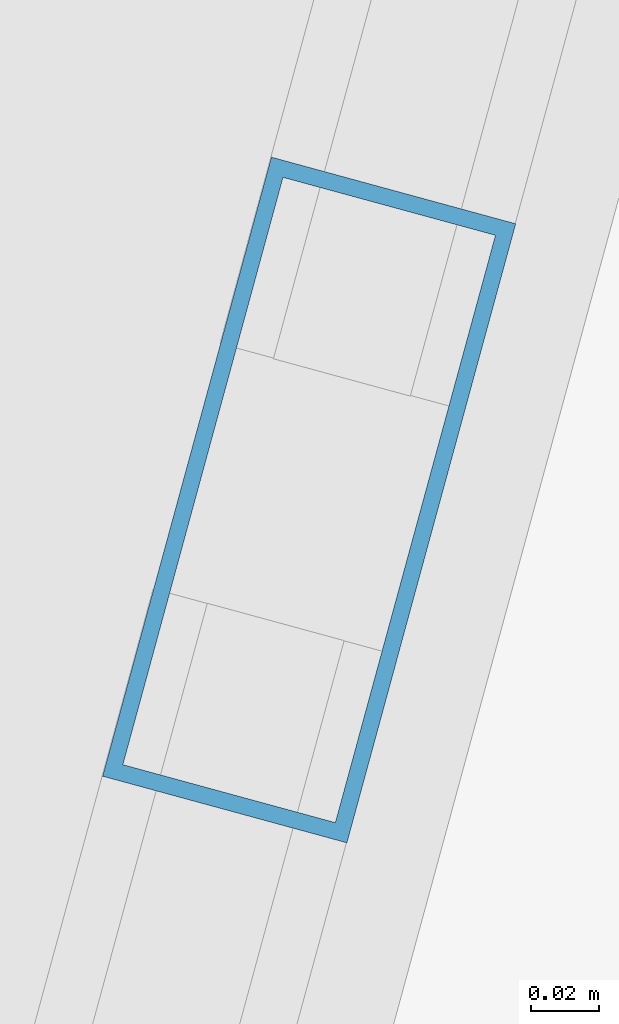
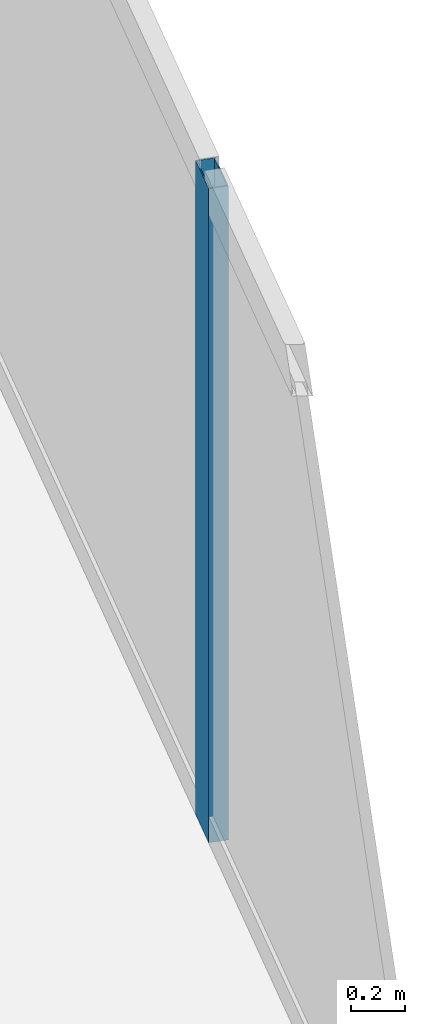
# One storey, part 11 of 26: 1 member, 1 element without a shape of its own.
"""IFC4 building model written with IfcOpenShell, lengths in metres."""

from ifc_helpers import new_model, si_unit, direction, frame, origin, origin_2d, place, context, subcontext, project, spatial, hollow_rectangle, extrude, material, material_profile, profile_set, type_object, element, aggregate, save


model = new_model("IFC4")

# Units and contexts
model_context = context("Model", 3, precision=1e-05, world=origin(), true_north=direction((0.0, 1.0)))
body_context = subcontext(model_context, "Body", "Model", "MODEL_VIEW")
ifc_project = project(units=[si_unit("LENGTHUNIT", "METRE"), si_unit("AREAUNIT", "SQUARE_METRE"), si_unit("VOLUMEUNIT", "CUBIC_METRE"), si_unit("PLANEANGLEUNIT", "RADIAN"), si_unit("MASSUNIT", "GRAM", prefix="KILO")], contexts=[model_context])

# Site, building, storey
site_placement = place(None, origin())
site = spatial("IfcSite", under=ifc_project, at=site_placement, CompositionType="ELEMENT")
building_placement = place(site_placement, origin())
building = spatial("IfcBuilding", under=site, at=building_placement, Name="Haldenkirk Collegiate Tower", CompositionType="ELEMENT")
storey_placement = place(building_placement, frame((0.0, 0.0, 278.699951171875)))
storey = spatial("IfcBuildingStorey", under=building, at=storey_placement, Name="L70", CompositionType="ELEMENT", Elevation=278.699951171875)

# Curtain wall, member
ifc_material = material(Name="Anodised architectural bronze aluminium", Category="aluminium")
curtain_wall_type = type_object("IfcCurtainWallType", Name="CW-SYS2-CONCAVE", PredefinedType="USERDEFINED", material=ifc_material)
curtain_wall_placement = place(storey_placement, origin())
curtain_wall = element("IfcCurtainWall", 1, at=curtain_wall_placement, inside=storey, type_object=curtain_wall_type, Name="L70 South concave recessed bronze-anodised curtain wall", ObjectType="UNITISED CURTAIN WALL", PredefinedType="USERDEFINED")
ifc_material_profile = material_profile(ifc_material, hollow_rectangle(XDim=0.074951171875, YDim=0.18994140625, WallThickness=0.0048828125, at=origin_2d()), Name="CW-MUL-02")
ifc_profile_set = profile_set([ifc_material_profile], Name="Anodised architectural bronze aluminium")
member_type = type_object("IfcMemberType", Name="CW-MUL-02", PredefinedType="MULLION", material=ifc_profile_set)
member_placement = place(storey_placement, frame((59.45654296875, 25.94482421875, 0.0), z_axis=(0.0, 0.0, 1.0), x_axis=(0.964786957297, -0.263032558878, 0.0)))
member = element("IfcMember", 2, at=member_placement, type_object=member_type, Name="CW-02 mullion 2", PredefinedType="MULLION", context=body_context, shape_type="SweptSolid", body=[
    extrude(hollow_rectangle(XDim=0.074951171875, YDim=0.18994140625, WallThickness=0.0048828125, at=origin_2d()), origin(), (0.0, 0.0, 1.0), 2.93798828125),
])
aggregate(curtain_wall, [member])

save(model, "model.ifc")
